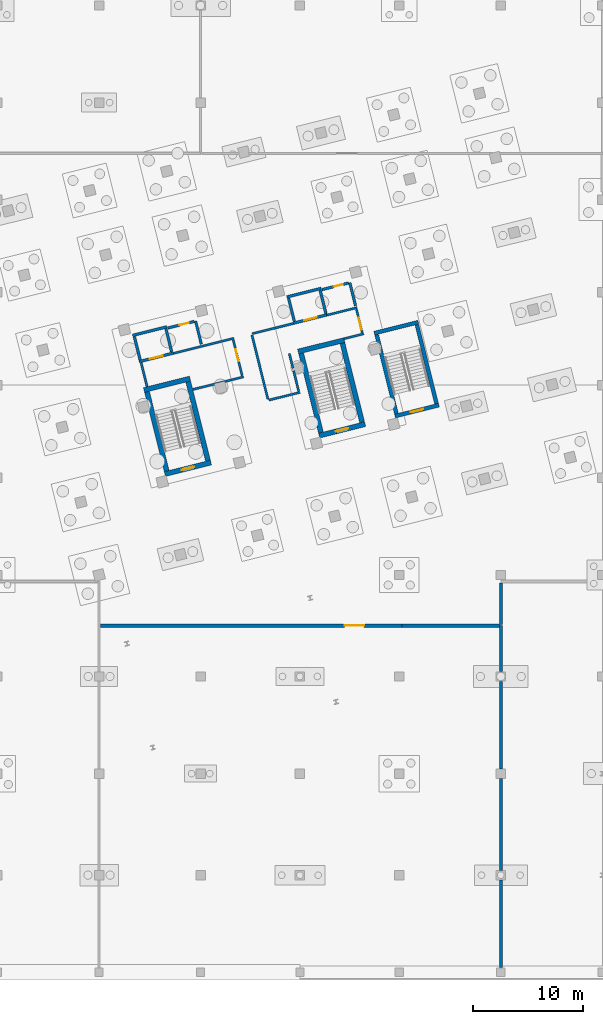
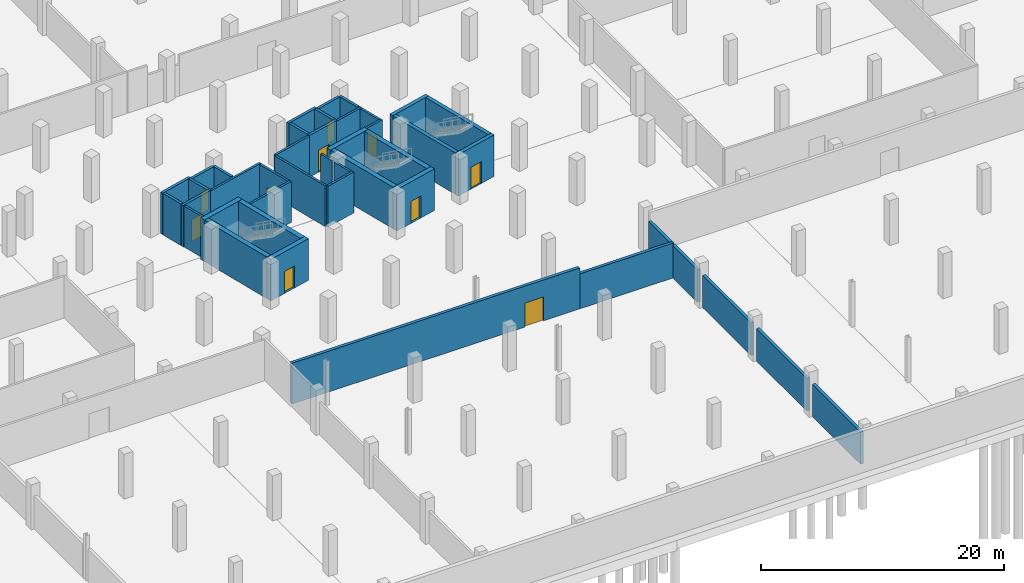
# One storey, part 18 of 29: 43 walls, 10 doors, 10 openings.
"""IFC4 building model written with IfcOpenShell, lengths in metres."""

from ifc_helpers import new_model, si_unit, direction, frame, frame_2d, origin, place, context, subcontext, project, spatial, rectangle, extrude, material, layer, layer_set, type_object, element, fill, save


model = new_model("IFC4")

# Units and contexts
model_context = context("Model", 3, precision=1e-05, world=origin(), true_north=direction((0.0, 1.0)))
body_context = subcontext(model_context, "Body", "Model", "MODEL_VIEW")
ifc_project = project(units=[si_unit("LENGTHUNIT", "METRE"), si_unit("AREAUNIT", "SQUARE_METRE"), si_unit("VOLUMEUNIT", "CUBIC_METRE"), si_unit("PLANEANGLEUNIT", "RADIAN"), si_unit("MASSUNIT", "GRAM", prefix="KILO")], contexts=[model_context])

# Site, building, storey
site_placement = place(None, origin())
site = spatial("IfcSite", under=ifc_project, at=site_placement, CompositionType="ELEMENT")
building_placement = place(site_placement, origin())
building = spatial("IfcBuilding", under=site, at=building_placement, Name="Meriwether Solvik Hall", CompositionType="ELEMENT")
storey_placement = place(building_placement, frame((0.0, 0.0, -9.0)))
storey = spatial("IfcBuildingStorey", under=building, at=storey_placement, Name="B02", CompositionType="ELEMENT", Elevation=-9.0)

# Walls
ifc_material_1 = material(Name="Fire-Rated Type X Gypsum Board", Category="gypsum")
ifc_layer_1 = layer(ifc_material_1, 0.199951171875)
ifc_layer_set_1 = layer_set([ifc_layer_1], Name="Fire-Rated Type X Gypsum Board")
wall_type_1 = type_object("IfcWallType", Name="WALL-FIRE-200", PredefinedType="STANDARD", material=ifc_layer_set_1)
wall_1_placement = place(storey_placement, frame((72.94970703125, 58.269287109375, 0.0), z_axis=(0.0, 0.0, 1.0), x_axis=(-0.24194311862, 0.970290434536, 0.0)))
element("IfcWall", 1, at=wall_1_placement, inside=storey, type_object=wall_type_1, Name="B02 Interior Partition lb1_w", PredefinedType="STANDARD", context=body_context, shape_type="SweptSolid", body=[
    extrude(rectangle(XDim=2.22998046875, YDim=0.199951171875, at=frame_2d((1.114990234375, 0.0))), origin(), (0.0, 0.0, 1.0), 4.10009765625),
])
wall_2_placement = place(storey_placement, frame((77.096923828125, 58.0048828125, 0.0), z_axis=(0.0, 0.0, 1.0), x_axis=(0.970305892741, 0.241881116483, 0.0)))
element("IfcWall", 2, at=wall_2_placement, inside=storey, type_object=wall_type_1, Name="B02 Interior Partition lb1_s", PredefinedType="STANDARD", context=body_context, shape_type="SweptSolid", body=[
    extrude(rectangle(XDim=4.73974609375, YDim=0.199951171875, at=frame_2d((2.369873046875, 0.0))), origin(), (0.0, 0.0, 1.0), 4.10009765625),
])
wall_3_placement = place(storey_placement, frame((75.24609375, 61.25341796875, 0.0), z_axis=(0.0, 0.0, 1.0), x_axis=(0.970292173201, 0.24193614576, 0.0)))
element("IfcWall", 3, at=wall_3_placement, inside=storey, type_object=wall_type_1, Name="B02 Interior Partition lb1_n_cap", PredefinedType="STANDARD", context=body_context, shape_type="SweptSolid", body=[
    extrude(rectangle(XDim=5.75, YDim=0.199951171875, at=frame_2d((2.875, 0.0))), origin(), (0.0, 0.0, 1.0), 4.10009765625),
])

# Wall, opening, door
wall_4_placement = place(storey_placement, frame((80.75732421875, 62.50390625, 0.0), z_axis=(0.0, 0.0, 1.0), x_axis=(0.241885902723, -0.970304699599, 0.0)))
wall_4 = element("IfcWall", 4, at=wall_4_placement, inside=storey, type_object=wall_type_1, Name="B02 Interior Partition lb1_e", PredefinedType="STANDARD", context=body_context, shape_type="SweptSolid", body=[
    extrude(rectangle(XDim=3.360107421875, YDim=0.199951171875, at=frame_2d((1.68017578125, 0.0))), origin(), (0.0, 0.0, 1.0), 4.10009765625),
])
opening_1_placement = place(wall_4_placement, frame((0.889892578125, 0.0, 0.0)))
opening_1 = element("IfcOpeningElement", 5, at=opening_1_placement, cuts=wall_4, Name="Opening D-168", PredefinedType="OPENING", context=body_context, shape_type="SweptSolid", body=[
    extrude(rectangle(XDim=1.10009765625, YDim=2.199951171875, at=frame_2d((0.550048828125, 1.10009765625))), frame((0.0, 0.11181640625, 0.0), z_axis=(0.0, -1.0, 0.0), x_axis=(1.0, 0.0, 0.0)), (0.0, 0.0, 1.0), 0.223876953125),
])
ifc_material_2 = material(Name="Steel A36 Galvanised", Category="steel")
door_type_1 = type_object("IfcDoorType", Name="DR-FD60-1100L", OperationType="SINGLE_SWING_LEFT", PredefinedType="DOOR", material=ifc_material_2)
door_1_placement = place(opening_1_placement, origin())
door_1 = element("IfcDoor", 6, at=door_1_placement, inside=storey, type_object=door_type_1, Name="West FSAE Lift Lobby Door (B02)", OperationType="SINGLE_SWING_LEFT", OverallHeight=2.199951171875, OverallWidth=1.10009765625, PredefinedType="DOOR", context=body_context, shape_type="SweptSolid", body=[
    extrude(rectangle(XDim=1.10009765625, YDim=2.199951171875, at=frame_2d((0.550048828125, 1.10009765625))), frame((0.0, 0.02490234375, 0.0), z_axis=(0.0, -1.0, 0.0), x_axis=(1.0, 0.0, 0.0)), (0.0, 0.0, 1.0), 0.050048828125),
])
fill(opening_1, door_1)

# Walls
wall_5_placement = place(storey_placement, frame((82.452880859375, 62.93701171875, 0.0), z_axis=(0.0, 0.0, 1.0), x_axis=(0.241891967324, -0.970303187743, 0.0)))
element("IfcWall", 7, at=wall_5_placement, inside=storey, type_object=wall_type_1, Name="B02 Interior Partition lb2_w", PredefinedType="STANDARD", context=body_context, shape_type="SweptSolid", body=[
    extrude(rectangle(XDim=5.97998046875, YDim=0.199951171875, at=frame_2d((2.989990234375, 0.0))), origin(), (0.0, 0.0, 1.0), 4.10009765625),
])
wall_6_placement = place(storey_placement, frame((83.972412109375, 57.03955078125, 0.0), z_axis=(0.0, 0.0, 1.0), x_axis=(0.970308790931, 0.241869490102, 0.0)))
element("IfcWall", 8, at=wall_6_placement, inside=storey, type_object=wall_type_1, Name="B02 Interior Partition lb2_s_w", PredefinedType="STANDARD", context=body_context, shape_type="SweptSolid", body=[
    extrude(rectangle(XDim=2.932373046875, YDim=0.199951171875, at=frame_2d((1.46630859375, 0.0))), origin(), (0.0, 0.0, 1.0), 4.10009765625),
])
wall_7_placement = place(storey_placement, frame((86.691650390625, 57.841064453125, 0.0), z_axis=(0.0, 0.0, 1.0), x_axis=(-0.241992731984, 0.970278062035, 0.0)))
element("IfcWall", 9, at=wall_7_placement, inside=storey, type_object=wall_type_1, Name="B02 Interior Partition lb2_e_low", PredefinedType="STANDARD", context=body_context, shape_type="SweptSolid", body=[
    extrude(rectangle(XDim=1.90478515625, YDim=0.199951171875, at=frame_2d((0.952392578125, 0.0))), origin(), (0.0, 0.0, 1.0), 4.10009765625),
])
wall_8_placement = place(storey_placement, frame((86.169921875, 59.932861328125, 0.0), z_axis=(0.0, 0.0, 1.0), x_axis=(-0.241824833036, 0.970319921535, 0.0)))
element("IfcWall", 10, at=wall_8_placement, inside=storey, type_object=wall_type_1, Name="B02 Interior Partition lb2_e_low_s2", PredefinedType="STANDARD", context=body_context, shape_type="SweptSolid", body=[
    extrude(rectangle(XDim=1.3740234375, YDim=0.199951171875, at=frame_2d((0.68701171875, 0.0))), origin(), (0.0, 0.0, 1.0), 4.10009765625),
])
wall_9_placement = place(storey_placement, frame((82.47265625, 63.05517578125, 0.0), z_axis=(0.0, 0.0, 1.0), x_axis=(0.970284368558, 0.241967444366, 0.0)))
element("IfcWall", 11, at=wall_9_placement, inside=storey, type_object=wall_type_1, Name="B02 Interior Partition lb2_n_cap_w", PredefinedType="STANDARD", context=body_context, shape_type="SweptSolid", body=[
    extrude(rectangle(XDim=3.84228515625, YDim=0.199951171875, at=frame_2d((1.921142578125, 0.0))), origin(), (0.0, 0.0, 1.0), 4.10009765625),
])
wall_10_placement = place(storey_placement, frame((90.791015625, 62.604248046875, 0.0), z_axis=(0.0, 0.0, 1.0), x_axis=(0.970306180373, 0.241879962645, 0.0)))
element("IfcWall", 12, at=wall_10_placement, inside=storey, type_object=wall_type_1, Name="B02 Interior Partition lb2_s", PredefinedType="STANDARD", context=body_context, shape_type="SweptSolid", body=[
    extrude(rectangle(XDim=1.840087890625, YDim=0.199951171875, at=frame_2d((0.919921875, 0.0))), origin(), (0.0, 0.0, 1.0), 4.10009765625),
])
wall_11_placement = place(storey_placement, frame((89.21826171875, 64.737060546875, 0.0), z_axis=(0.0, 0.0, 1.0), x_axis=(0.97027839681, 0.241991389687, 0.0)))
element("IfcWall", 13, at=wall_11_placement, inside=storey, type_object=wall_type_1, Name="B02 Interior Partition lb2_n_cap", PredefinedType="STANDARD", context=body_context, shape_type="SweptSolid", body=[
    extrude(rectangle(XDim=2.85009765625, YDim=0.199951171875, at=frame_2d((1.425048828125, 0.0))), origin(), (0.0, 0.0, 1.0), 4.10009765625),
])

# Wall, opening, door
wall_12_placement = place(storey_placement, frame((91.91552734375, 65.2861328125, 0.0), z_axis=(0.0, 0.0, 1.0), x_axis=(0.241911789465, -0.970298245963, 0.0)))
wall_12 = element("IfcWall", 14, at=wall_12_placement, inside=storey, type_object=wall_type_1, Name="B02 Interior Partition lb2_e", PredefinedType="STANDARD", context=body_context, shape_type="SweptSolid", body=[
    extrude(rectangle(XDim=2.210205078125, YDim=0.199951171875, at=frame_2d((1.10498046875, 0.0))), origin(), (0.0, 0.0, 1.0), 4.10009765625),
])
opening_2_placement = place(wall_12_placement, frame((0.81005859375, 0.0, 0.0)))
opening_2 = element("IfcOpeningElement", 15, at=opening_2_placement, cuts=wall_12, Name="Opening D-168", PredefinedType="OPENING", context=body_context, shape_type="SweptSolid", body=[
    extrude(rectangle(XDim=1.10009765625, YDim=2.199951171875, at=frame_2d((0.550048828125, 1.10009765625))), frame((0.0, 0.11181640625, 0.0), z_axis=(0.0, -1.0, 0.0), x_axis=(1.0, 0.0, 0.0)), (0.0, 0.0, 1.0), 0.223876953125),
])
door_2_placement = place(opening_2_placement, origin())
door_2 = element("IfcDoor", 16, at=door_2_placement, inside=storey, type_object=door_type_1, Name="East FSAE Lift Lobby Door (B02)", OperationType="SINGLE_SWING_LEFT", OverallHeight=2.199951171875, OverallWidth=1.10009765625, PredefinedType="DOOR", context=body_context, shape_type="SweptSolid", body=[
    extrude(rectangle(XDim=1.10009765625, YDim=2.199951171875, at=frame_2d((0.550048828125, 1.10009765625))), frame((0.0, 0.02490234375, 0.0), z_axis=(0.0, -1.0, 0.0), x_axis=(1.0, 0.0, 0.0)), (0.0, 0.0, 1.0), 0.050048828125),
])
fill(opening_2, door_2)

# Walls
ifc_material_3 = material(Name="Concrete C40/50", Category="concrete")
ifc_layer_2 = layer(ifc_material_3, 0.25)
ifc_layer_set_2 = layer_set([ifc_layer_2], Name="Concrete C40/50")
wall_type_2 = type_object("IfcWallType", Name="WALL-HOIST-250", PredefinedType="SHEAR", material=ifc_layer_set_2)
wall_13_placement = place(storey_placement, frame((74.744384765625, 63.67919921875, 0.0), z_axis=(0.0, 0.0, 1.0), x_axis=(-0.970294894235, -0.241925232711, 0.0)))
element("IfcWall", 17, at=wall_13_placement, inside=storey, type_object=wall_type_2, Name="Hoistway BANK1 North Wall (B02)", PredefinedType="SHEAR", context=body_context, shape_type="SweptSolid", body=[
    extrude(rectangle(XDim=3.199951171875, YDim=0.25, at=frame_2d((1.60009765625, 0.0))), origin(), (0.0, 0.0, 1.0), 4.169921875),
])
for number, where, z_axis, x_axis, name in (
    (18, (71.793212890625, 62.80419921875, 0.0), (0.0, 0.0, 1.0), (0.242008581424, -0.970274108959, 0.0), "Hoistway BANK1 West Wall (B02)"),
    (19, (75.18310546875, 61.402587890625, 0.0), (0.0, 0.0, 1.0), (-0.241903146974, 0.970300400641, 0.0), "Hoistway BANK1 East Wall (B02)"),
):
    element("IfcWall", number, at=place(storey_placement, frame(where, z_axis=z_axis, x_axis=x_axis)), inside=storey, type_object=wall_type_2, Name=name, PredefinedType="SHEAR", context=body_context, shape_type="SweptSolid", body=[
        extrude(rectangle(XDim=2.179931640625, YDim=0.25, at=frame_2d((1.08984375, 0.0))), origin(), (0.0, 0.0, 1.0), 4.169921875),
    ])

# Wall, opening, door
wall_14_placement = place(storey_placement, frame((72.232177734375, 60.52783203125, 0.0), z_axis=(0.0, 0.0, 1.0), x_axis=(0.970290428474, 0.241943142934, 0.0)))
wall_14 = element("IfcWall", 20, at=wall_14_placement, inside=storey, type_object=wall_type_2, Name="Lift LF-01 Landing Wall (B02)", PredefinedType="SHEAR", context=body_context, shape_type="SweptSolid", body=[
    extrude(rectangle(XDim=3.19970703125, YDim=0.25, at=frame_2d((1.599853515625, 0.0))), origin(), (0.0, 0.0, 1.0), 4.169921875),
])
opening_3_placement = place(wall_14_placement, frame((1.0, 0.0, 0.0)))
opening_3 = element("IfcOpeningElement", 21, at=opening_3_placement, cuts=wall_14, Name="Opening LD-01", PredefinedType="OPENING", context=body_context, shape_type="SweptSolid", body=[
    extrude(rectangle(XDim=1.199951171875, YDim=2.199951171875, at=frame_2d((0.60009765625, 1.10009765625))), frame((0.0, 0.136962890625, 0.0), z_axis=(0.0, -1.0, 0.0), x_axis=(1.0, 0.0, 0.0)), (0.0, 0.0, 1.0), 0.27392578125),
])
ifc_material_4 = material(Name="Stainless Steel AISI 316", Category="steel")
door_type_2 = type_object("IfcDoorType", Name="DR-LIFT-FSAE", OperationType="DOUBLE_DOOR_SLIDING", PredefinedType="DOOR", material=ifc_material_4)
door_3_placement = place(opening_3_placement, origin())
door_3 = element("IfcDoor", 22, at=door_3_placement, inside=storey, type_object=door_type_2, Name="Lift Landing Door LF-01 (B02)", OperationType="DOUBLE_DOOR_SLIDING", OverallHeight=2.199951171875, OverallWidth=1.199951171875, PredefinedType="DOOR", context=body_context, shape_type="SweptSolid", body=[
    extrude(rectangle(XDim=1.199951171875, YDim=2.199951171875, at=frame_2d((0.60009765625, 1.10009765625))), frame((0.0, 0.02490234375, 0.0), z_axis=(0.0, -1.0, 0.0), x_axis=(1.0, 0.0, 0.0)), (0.0, 0.0, 1.0), 0.050048828125),
])
fill(opening_3, door_3)

# Walls
wall_15_placement = place(storey_placement, frame((88.716552734375, 67.162841796875, 0.0), z_axis=(0.0, 0.0, 1.0), x_axis=(-0.970294894235, -0.241925232711, 0.0)))
element("IfcWall", 23, at=wall_15_placement, inside=storey, type_object=wall_type_2, Name="Hoistway BANK2 North Wall (B02)", PredefinedType="SHEAR", context=body_context, shape_type="SweptSolid", body=[
    extrude(rectangle(XDim=3.199951171875, YDim=0.25, at=frame_2d((1.60009765625, 0.0))), origin(), (0.0, 0.0, 1.0), 4.169921875),
])
for number, where, z_axis, x_axis, name in (
    (24, (85.765625, 66.287841796875, 0.0), (0.0, 0.0, 1.0), (0.241903146974, -0.970300400641, 0.0), "Hoistway BANK2 West Wall (B02)"),
    (25, (89.1552734375, 64.886474609375, 0.0), (0.0, 0.0, 1.0), (-0.241903146974, 0.970300400641, 0.0), "Hoistway BANK2 East Wall (B02)"),
):
    element("IfcWall", number, at=place(storey_placement, frame(where, z_axis=z_axis, x_axis=x_axis)), inside=storey, type_object=wall_type_2, Name=name, PredefinedType="SHEAR", context=body_context, shape_type="SweptSolid", body=[
        extrude(rectangle(XDim=2.179931640625, YDim=0.25, at=frame_2d((1.08984375, 0.0))), origin(), (0.0, 0.0, 1.0), 4.169921875),
    ])

# Wall, opening, door
wall_16_placement = place(storey_placement, frame((86.204345703125, 64.011474609375, 0.0), z_axis=(0.0, 0.0, 1.0), x_axis=(0.970294894235, 0.241925232711, 0.0)))
wall_16 = element("IfcWall", 26, at=wall_16_placement, inside=storey, type_object=wall_type_2, Name="Lift LF-02 Landing Wall (B02)", PredefinedType="SHEAR", context=body_context, shape_type="SweptSolid", body=[
    extrude(rectangle(XDim=3.199951171875, YDim=0.25, at=frame_2d((1.60009765625, 0.0))), origin(), (0.0, 0.0, 1.0), 4.169921875),
])
opening_4_placement = place(wall_16_placement, frame((1.0, 0.0, 0.0)))
opening_4 = element("IfcOpeningElement", 27, at=opening_4_placement, cuts=wall_16, Name="Opening LD-02", PredefinedType="OPENING", context=body_context, shape_type="SweptSolid", body=[
    extrude(rectangle(XDim=1.199951171875, YDim=2.199951171875, at=frame_2d((0.60009765625, 1.10009765625))), frame((0.0, 0.136962890625, 0.0), z_axis=(0.0, -1.0, 0.0), x_axis=(1.0, 0.0, 0.0)), (0.0, 0.0, 1.0), 0.27392578125),
])
door_4_placement = place(opening_4_placement, origin())
door_4 = element("IfcDoor", 28, at=door_4_placement, inside=storey, type_object=door_type_2, Name="Lift Landing Door LF-02 (B02)", OperationType="DOUBLE_DOOR_SLIDING", OverallHeight=2.199951171875, OverallWidth=1.199951171875, PredefinedType="DOOR", context=body_context, shape_type="SweptSolid", body=[
    extrude(rectangle(XDim=1.199951171875, YDim=2.199951171875, at=frame_2d((0.60009765625, 1.10009765625))), frame((0.0, 0.02490234375, 0.0), z_axis=(0.0, -1.0, 0.0), x_axis=(1.0, 0.0, 0.0)), (0.0, 0.0, 1.0), 0.050048828125),
])
fill(opening_4, door_4)

# Walls
ifc_material_5 = material(Name="Concrete C35/45", Category="concrete")
ifc_layer_3 = layer(ifc_material_5, 0.280029296875)
ifc_layer_set_3 = layer_set([ifc_layer_3], Name="Concrete C35/45")
wall_type_3 = type_object("IfcWallType", Name="WALL-PLANT-280", PredefinedType="STANDARD", material=ifc_layer_set_3)
wall_17_placement = place(storey_placement, frame((105.0, 5.639892578125, 0.0), z_axis=(0.0, 0.0, 1.0), x_axis=(0.0, 1.0, 0.0)))
element("IfcWall", 29, at=wall_17_placement, inside=storey, type_object=wall_type_3, Name="B02 Interior Partition pump_e", PredefinedType="STANDARD", context=body_context, shape_type="SweptSolid", body=[
    extrude(rectangle(XDim=7.920166015625, YDim=0.280029296875, at=frame_2d((3.9599609375, 0.0))), origin(), (0.0, 0.0, 1.0), 3.25),
])
wall_18_placement = place(storey_placement, frame((105.0, 14.43994140625, 0.0), z_axis=(0.0, 0.0, 1.0), x_axis=(0.0, 1.0, 0.0)))
element("IfcWall", 30, at=wall_18_placement, inside=storey, type_object=wall_type_3, Name="B02 Interior Partition pump_e_s2", PredefinedType="STANDARD", context=body_context, shape_type="SweptSolid", body=[
    extrude(rectangle(XDim=8.320068359375, YDim=0.280029296875, at=frame_2d((4.16015625, 0.0))), origin(), (0.0, 0.0, 1.0), 3.25),
])
wall_19_placement = place(storey_placement, frame((105.0, 23.639892578125, 0.0), z_axis=(0.0, 0.0, 1.0), x_axis=(0.0, 1.0, 0.0)))
element("IfcWall", 31, at=wall_19_placement, inside=storey, type_object=wall_type_3, Name="B02 Interior Partition pump_e_s3", PredefinedType="STANDARD", context=body_context, shape_type="SweptSolid", body=[
    extrude(rectangle(XDim=7.920166015625, YDim=0.280029296875, at=frame_2d((3.9599609375, 0.0))), origin(), (0.0, 0.0, 1.0), 3.25),
])
wall_20_placement = place(storey_placement, frame((105.0, 32.43994140625, 0.0), z_axis=(0.0, 0.0, 1.0), x_axis=(0.0, 1.0, 0.0)))
element("IfcWall", 32, at=wall_20_placement, inside=storey, type_object=wall_type_3, Name="B02 Interior Partition pump_e_s4", PredefinedType="STANDARD", context=body_context, shape_type="SweptSolid", body=[
    extrude(rectangle(XDim=4.16015625, YDim=0.280029296875, at=frame_2d((2.080078125, 0.0))), origin(), (0.0, 0.0, 1.0), 3.25),
])
wall_21_placement = place(storey_placement, frame((104.8798828125, 36.60009765625, 0.0), z_axis=(0.0, 0.0, 1.0), x_axis=(-1.0, 0.0, 0.0)))
element("IfcWall", 33, at=wall_21_placement, inside=storey, type_object=wall_type_3, Name="B02 Interior Partition pump_n", PredefinedType="STANDARD", context=body_context, shape_type="SweptSolid", body=[
    extrude(rectangle(XDim=8.8349609375, YDim=0.280029296875, at=frame_2d((4.41748046875, 0.0))), origin(), (0.0, 0.0, 1.0), 3.5),
])

# Wall, opening, door
wall_22_placement = place(storey_placement, frame((96.044921875, 36.60009765625, 0.0), z_axis=(0.0, 0.0, 1.0), x_axis=(-1.0, 0.0, 0.0)))
wall_22 = element("IfcWall", 34, at=wall_22_placement, inside=storey, type_object=wall_type_3, Name="B02 Interior Partition pump_n_s2", PredefinedType="STANDARD", context=body_context, shape_type="SweptSolid", body=[
    extrude(rectangle(XDim=27.324951171875, YDim=0.280029296875, at=frame_2d((13.66259765625, 0.0))), origin(), (0.0, 0.0, 1.0), 4.10009765625),
])
opening_5_placement = place(wall_22_placement, frame((3.436279296875, 0.0, 0.0)))
opening_5 = element("IfcOpeningElement", 35, at=opening_5_placement, cuts=wall_22, Name="Opening D-159", PredefinedType="OPENING", context=body_context, shape_type="SweptSolid", body=[
    extrude(rectangle(XDim=1.75, YDim=2.39990234375, at=frame_2d((0.875, 1.199951171875))), frame((0.0, 0.15185546875, 0.0), z_axis=(0.0, -1.0, 0.0), x_axis=(1.0, 0.0, 0.0)), (0.0, 0.0, 1.0), 0.303955078125),
])
ifc_material_6 = material(Name="Steel A36 Galvanised", Category="steel")
door_type_3 = type_object("IfcDoorType", Name="DR-FD90-1750", OperationType="DOUBLE_DOOR_SINGLE_SWING", PredefinedType="DOOR", material=ifc_material_6)
door_5_placement = place(opening_5_placement, origin())
door_5 = element("IfcDoor", 36, at=door_5_placement, inside=storey, type_object=door_type_3, Name="Domestic and Fire Booster Pump Plant Door", OperationType="DOUBLE_DOOR_SINGLE_SWING", OverallHeight=2.39990234375, OverallWidth=1.75, PredefinedType="DOOR", context=body_context, shape_type="SweptSolid", body=[
    extrude(rectangle(XDim=1.75, YDim=2.39990234375, at=frame_2d((0.875, 1.199951171875))), frame((0.0, 0.02490234375, 0.0), z_axis=(0.0, -1.0, 0.0), x_axis=(1.0, 0.0, 0.0)), (0.0, 0.0, 1.0), 0.050048828125),
])
fill(opening_5, door_5)

# Wall
wall_23_placement = place(storey_placement, frame((105.0, 40.47998046875, 0.0), z_axis=(0.0, 0.0, 1.0), x_axis=(0.0, -1.0, 0.0)))
element("IfcWall", 37, at=wall_23_placement, inside=storey, type_object=wall_type_3, Name="B02 Interior Partition tank_w", PredefinedType="STANDARD", context=body_context, shape_type="SweptSolid", body=[
    extrude(rectangle(XDim=3.760009765625, YDim=0.280029296875, at=frame_2d((1.8798828125, 0.0))), origin(), (0.0, 0.0, 1.0), 3.25),
])

# Wall, opening, door
ifc_material_7 = material(Name="Concrete C40/50", Category="concrete")
ifc_layer_4 = layer(ifc_material_7, 0.35009765625)
ifc_layer_set_4 = layer_set([ifc_layer_4], Name="Concrete C40/50")
wall_type_4 = type_object("IfcWallType", Name="WALL-RC-350", PredefinedType="SHEAR", material=ifc_layer_set_4)
wall_24_placement = place(storey_placement, frame((95.415283203125, 55.589599609375, 0.0), z_axis=(0.0, 0.0, 1.0), x_axis=(0.970292928015, 0.241933118535, 0.0)))
wall_24 = element("IfcWall", 38, at=wall_24_placement, inside=storey, type_object=wall_type_4, Name="CORE-3 Shear Wall S (B02)", PredefinedType="SHEAR", context=body_context, shape_type="SweptSolid", body=[
    extrude(rectangle(XDim=4.10009765625, YDim=0.35009765625, at=frame_2d((2.050048828125, 0.0))), origin(), (0.0, 0.0, 1.0), 4.169921875),
])
opening_6_placement = place(wall_24_placement, frame((1.47509765625, 0.0, 0.0)))
opening_6 = element("IfcOpeningElement", 39, at=opening_6_placement, cuts=wall_24, Name="Opening D-148", PredefinedType="OPENING", context=body_context, shape_type="SweptSolid", body=[
    extrude(rectangle(XDim=1.14990234375, YDim=2.199951171875, at=frame_2d((0.574951171875, 1.10009765625))), frame((0.0, 0.18701171875, 0.0), z_axis=(0.0, -1.0, 0.0), x_axis=(1.0, 0.0, 0.0)), (0.0, 0.0, 1.0), 0.3740234375),
])
ifc_material_8 = material(Name="Steel A36 Galvanised", Category="steel")
door_type_4 = type_object("IfcDoorType", Name="DR-FD90-1150R", OperationType="SINGLE_SWING_RIGHT", PredefinedType="DOOR", material=ifc_material_8)
door_6_placement = place(opening_6_placement, origin())
door_6 = element("IfcDoor", 40, at=door_6_placement, inside=storey, type_object=door_type_4, Name="Stair ST-03 Smokeproof Exit Door (B02)", OperationType="SINGLE_SWING_RIGHT", OverallHeight=2.199951171875, OverallWidth=1.14990234375, PredefinedType="DOOR", context=body_context, shape_type="SweptSolid", body=[
    extrude(rectangle(XDim=1.14990234375, YDim=2.199951171875, at=frame_2d((0.574951171875, 1.10009765625))), frame((0.0, 0.02490234375, 0.0), z_axis=(0.0, -1.0, 0.0), x_axis=(1.0, 0.0, 0.0)), (0.0, 0.0, 1.0), 0.050048828125),
])
fill(opening_6, door_6)

# Walls
wall_25_placement = place(storey_placement, frame((97.5185546875, 64.101318359375, 0.0), z_axis=(0.0, 0.0, 1.0), x_axis=(-0.970289442421, -0.241947097371, 0.0)))
element("IfcWall", 41, at=wall_25_placement, inside=storey, type_object=wall_type_4, Name="CORE-3 Shear Wall N (B02)", PredefinedType="SHEAR", context=body_context, shape_type="SweptSolid", body=[
    extrude(rectangle(XDim=4.099853515625, YDim=0.35009765625, at=frame_2d((2.0498046875, 0.0))), origin(), (0.0, 0.0, 1.0), 4.169921875),
])
for number, where, z_axis, x_axis, name in (
    (42, (93.755126953125, 62.97216796875, 0.0), (0.0, 0.0, 1.0), (0.241897280066, -0.970301863286, 0.0), "CORE-3 Shear Wall W (B02)"),
    (43, (99.178955078125, 56.71875, 0.0), (0.0, 0.0, 1.0), (-0.241928426141, 0.970294098006, 0.0), "CORE-3 Shear Wall E (B02)"),
):
    element("IfcWall", number, at=place(storey_placement, frame(where, z_axis=z_axis, x_axis=x_axis)), inside=storey, type_object=wall_type_4, Name=name, PredefinedType="SHEAR", context=body_context, shape_type="SweptSolid", body=[
        extrude(rectangle(XDim=7.3798828125, YDim=0.35009765625, at=frame_2d((3.68994140625, 0.0))), origin(), (0.0, 0.0, 1.0), 4.169921875),
    ])

# Wall, opening, door
ifc_material_9 = material(Name="Concrete C45/55", Category="concrete")
ifc_layer_5 = layer(ifc_material_9, 0.449951171875)
ifc_layer_set_5 = layer_set([ifc_layer_5], Name="Concrete C45/55")
wall_type_5 = type_object("IfcWallType", Name="WALL-RC-450", PredefinedType="SHEAR", material=ifc_layer_set_5)
wall_26_placement = place(storey_placement, frame((74.566162109375, 50.33984375, 0.0), z_axis=(0.0, 0.0, 1.0), x_axis=(0.970292610647, 0.241934391361, 0.0)))
wall_26 = element("IfcWall", 44, at=wall_26_placement, inside=storey, type_object=wall_type_5, Name="CORE-1 Shear Wall S (B02)", PredefinedType="SHEAR", context=body_context, shape_type="SweptSolid", body=[
    extrude(rectangle(XDim=4.2998046875, YDim=0.449951171875, at=frame_2d((2.14990234375, 0.0))), origin(), (0.0, 0.0, 1.0), 4.169921875),
])
opening_7_placement = place(wall_26_placement, frame((1.574951171875, 0.0, 0.0)))
opening_7 = element("IfcOpeningElement", 45, at=opening_7_placement, cuts=wall_26, Name="Opening D-189", PredefinedType="OPENING", context=body_context, shape_type="SweptSolid", body=[
    extrude(rectangle(XDim=1.14990234375, YDim=2.199951171875, at=frame_2d((0.574951171875, 1.10009765625))), frame((0.0, 0.23681640625, 0.0), z_axis=(0.0, -1.0, 0.0), x_axis=(1.0, 0.0, 0.0)), (0.0, 0.0, 1.0), 0.473876953125),
])
ifc_material_10 = material(Name="Steel A36 Galvanised", Category="steel")
door_type_5 = type_object("IfcDoorType", Name="DR-FD90-1150L", OperationType="SINGLE_SWING_LEFT", PredefinedType="DOOR", material=ifc_material_10)
door_7_placement = place(opening_7_placement, origin())
door_7 = element("IfcDoor", 46, at=door_7_placement, inside=storey, type_object=door_type_5, Name="Stair ST-01 Smokeproof Exit Door (B02)", OperationType="SINGLE_SWING_LEFT", OverallHeight=2.199951171875, OverallWidth=1.14990234375, PredefinedType="DOOR", context=body_context, shape_type="SweptSolid", body=[
    extrude(rectangle(XDim=1.14990234375, YDim=2.199951171875, at=frame_2d((0.574951171875, 1.10009765625))), frame((0.0, 0.02490234375, 0.0), z_axis=(0.0, -1.0, 0.0), x_axis=(1.0, 0.0, 0.0)), (0.0, 0.0, 1.0), 0.050048828125),
])
fill(opening_7, door_7)

# Walls
wall_27_placement = place(storey_placement, frame((76.83935546875, 58.996826171875, 0.0), z_axis=(0.0, 0.0, 1.0), x_axis=(-0.970295933763, -0.241921063415, 0.0)))
element("IfcWall", 47, at=wall_27_placement, inside=storey, type_object=wall_type_5, Name="CORE-1 Shear Wall N (B02)", PredefinedType="SHEAR", context=body_context, shape_type="SweptSolid", body=[
    extrude(rectangle(XDim=4.300048828125, YDim=0.449951171875, at=frame_2d((2.14990234375, 0.0))), origin(), (0.0, 0.0, 1.0), 4.169921875),
])
for number, where, z_axis, x_axis, name in (
    (48, (72.942138671875, 57.782958984375, 0.0), (0.0, 0.0, 1.0), (0.241928426141, -0.970294098006, 0.0), "CORE-1 Shear Wall W (B02)"),
    (49, (78.463134765625, 51.5537109375, 0.0), (0.0, 0.0, 1.0), (-0.241928426141, 0.970294098006, 0.0), "CORE-1 Shear Wall E (B02)"),
):
    element("IfcWall", number, at=place(storey_placement, frame(where, z_axis=z_axis, x_axis=x_axis)), inside=storey, type_object=wall_type_5, Name=name, PredefinedType="SHEAR", context=body_context, shape_type="SweptSolid", body=[
        extrude(rectangle(XDim=7.3798828125, YDim=0.449951171875, at=frame_2d((3.68994140625, 0.0))), origin(), (0.0, 0.0, 1.0), 4.169921875),
    ])

# Wall, opening, door
wall_28_placement = place(storey_placement, frame((88.538330078125, 53.823486328125, 0.0), z_axis=(0.0, 0.0, 1.0), x_axis=(0.970295933763, 0.241921063415, 0.0)))
wall_28 = element("IfcWall", 50, at=wall_28_placement, inside=storey, type_object=wall_type_5, Name="CORE-2 Shear Wall S (B02)", PredefinedType="SHEAR", context=body_context, shape_type="SweptSolid", body=[
    extrude(rectangle(XDim=4.300048828125, YDim=0.449951171875, at=frame_2d((2.14990234375, 0.0))), origin(), (0.0, 0.0, 1.0), 4.169921875),
])
opening_8_placement = place(wall_28_placement, frame((1.574951171875, 0.0, 0.0)))
opening_8 = element("IfcOpeningElement", 51, at=opening_8_placement, cuts=wall_28, Name="Opening D-148", PredefinedType="OPENING", context=body_context, shape_type="SweptSolid", body=[
    extrude(rectangle(XDim=1.14990234375, YDim=2.199951171875, at=frame_2d((0.574951171875, 1.10009765625))), frame((0.0, 0.23681640625, 0.0), z_axis=(0.0, -1.0, 0.0), x_axis=(1.0, 0.0, 0.0)), (0.0, 0.0, 1.0), 0.473876953125),
])
door_8_placement = place(opening_8_placement, origin())
door_8 = element("IfcDoor", 52, at=door_8_placement, inside=storey, type_object=door_type_4, Name="Stair ST-02 Smokeproof Exit Door (B02)", OperationType="SINGLE_SWING_RIGHT", OverallHeight=2.199951171875, OverallWidth=1.14990234375, PredefinedType="DOOR", context=body_context, shape_type="SweptSolid", body=[
    extrude(rectangle(XDim=1.14990234375, YDim=2.199951171875, at=frame_2d((0.574951171875, 1.10009765625))), frame((0.0, 0.02490234375, 0.0), z_axis=(0.0, -1.0, 0.0), x_axis=(1.0, 0.0, 0.0)), (0.0, 0.0, 1.0), 0.050048828125),
])
fill(opening_8, door_8)

# Walls
wall_29_placement = place(storey_placement, frame((90.8115234375, 62.48046875, 0.0), z_axis=(0.0, 0.0, 1.0), x_axis=(-0.970309259708, -0.2418676095, 0.0)))
element("IfcWall", 53, at=wall_29_placement, inside=storey, type_object=wall_type_5, Name="CORE-2 Shear Wall N (B02)", PredefinedType="SHEAR", context=body_context, shape_type="SweptSolid", body=[
    extrude(rectangle(XDim=4.300048828125, YDim=0.449951171875, at=frame_2d((2.14990234375, 0.0))), origin(), (0.0, 0.0, 1.0), 4.169921875),
])
for number, where, z_axis, x_axis, name in (
    (54, (86.91455078125, 61.266845703125, 0.0), (0.0, 0.0, 1.0), (0.241889515465, -0.970303798976, 0.0), "CORE-2 Shear Wall W (B02)"),
    (55, (92.435546875, 55.037353515625, 0.0), (0.0, 0.0, 1.0), (-0.241920660665, 0.970296034179, 0.0), "CORE-2 Shear Wall E (B02)"),
):
    element("IfcWall", number, at=place(storey_placement, frame(where, z_axis=z_axis, x_axis=x_axis)), inside=storey, type_object=wall_type_5, Name=name, PredefinedType="SHEAR", context=body_context, shape_type="SweptSolid", body=[
        extrude(rectangle(XDim=7.380126953125, YDim=0.449951171875, at=frame_2d((3.68994140625, 0.0))), origin(), (0.0, 0.0, 1.0), 4.169921875),
    ])
ifc_material_11 = material(Name="Concrete C35/45", Category="concrete")
ifc_layer_6 = layer(ifc_material_11, 0.239990234375)
ifc_layer_set_6 = layer_set([ifc_layer_6], Name="Concrete C35/45")
wall_type_6 = type_object("IfcWallType", Name="WALL-SHAFT-240", PredefinedType="STANDARD", material=ifc_layer_set_6)
wall_30_placement = place(storey_placement, frame((77.865966796875, 62.11279296875, 0.0), z_axis=(0.0, 0.0, 1.0), x_axis=(-0.2418676095, 0.970309259708, 0.0)))
element("IfcWall", 56, at=wall_30_placement, inside=storey, type_object=wall_type_6, Name="B02 Interior Partition riser1_e", PredefinedType="STANDARD", context=body_context, shape_type="SweptSolid", body=[
    extrude(rectangle(XDim=2.14990234375, YDim=0.239990234375, at=frame_2d((1.074951171875, 0.0))), origin(), (0.0, 0.0, 1.0), 4.10009765625),
])

# Wall, opening, door
wall_31_placement = place(storey_placement, frame((77.2294921875, 64.169921875, 0.0), z_axis=(0.0, 0.0, 1.0), x_axis=(-0.970310192441, -0.241863867589, 0.0)))
wall_31 = element("IfcWall", 57, at=wall_31_placement, inside=storey, type_object=wall_type_6, Name="B02 Interior Partition riser1_n", PredefinedType="STANDARD", context=body_context, shape_type="SweptSolid", body=[
    extrude(rectangle(XDim=2.480224609375, YDim=0.239990234375, at=frame_2d((1.240234375, 0.0))), origin(), (0.0, 0.0, 1.0), 4.10009765625),
])
opening_9_placement = place(wall_31_placement, frame((0.530029296875, 0.0, 0.0)))
opening_9 = element("IfcOpeningElement", 58, at=opening_9_placement, cuts=wall_31, Name="Opening D-102", PredefinedType="OPENING", context=body_context, shape_type="SweptSolid", body=[
    extrude(rectangle(XDim=0.85009765625, YDim=2.10009765625, at=frame_2d((0.425048828125, 1.050048828125))), frame((0.0, 0.1318359375, 0.0), z_axis=(0.0, -1.0, 0.0), x_axis=(1.0, 0.0, 0.0)), (0.0, 0.0, 1.0), 0.263916015625),
])
ifc_material_12 = material(Name="Steel A36 Galvanised", Category="steel")
door_type_6 = type_object("IfcDoorType", Name="DR-FD60-850L", OperationType="SINGLE_SWING_LEFT", PredefinedType="DOOR", material=ifc_material_12)
door_9_placement = place(opening_9_placement, origin())
door_9 = element("IfcDoor", 59, at=door_9_placement, inside=storey, type_object=door_type_6, Name="Primary Telecom Plant Riser Door (B02)", OperationType="SINGLE_SWING_LEFT", OverallHeight=2.10009765625, OverallWidth=0.85009765625, PredefinedType="DOOR", context=body_context, shape_type="SweptSolid", body=[
    extrude(rectangle(XDim=0.85009765625, YDim=2.10009765625, at=frame_2d((0.425048828125, 1.050048828125))), frame((0.0, 0.02490234375, 0.0), z_axis=(0.0, -1.0, 0.0), x_axis=(1.0, 0.0, 0.0)), (0.0, 0.0, 1.0), 0.050048828125),
])
fill(opening_9, door_9)

# Wall
wall_32_placement = place(storey_placement, frame((91.838134765625, 65.596435546875, 0.0), z_axis=(0.0, 0.0, 1.0), x_axis=(-0.2418676095, 0.970309259708, 0.0)))
element("IfcWall", 60, at=wall_32_placement, inside=storey, type_object=wall_type_6, Name="B02 Interior Partition riser2_e", PredefinedType="STANDARD", context=body_context, shape_type="SweptSolid", body=[
    extrude(rectangle(XDim=2.14990234375, YDim=0.239990234375, at=frame_2d((1.074951171875, 0.0))), origin(), (0.0, 0.0, 1.0), 4.10009765625),
])

# Wall, opening, door
wall_33_placement = place(storey_placement, frame((91.20166015625, 67.653564453125, 0.0), z_axis=(0.0, 0.0, 1.0), x_axis=(-0.970304433136, -0.241886971613, 0.0)))
wall_33 = element("IfcWall", 61, at=wall_33_placement, inside=storey, type_object=wall_type_6, Name="B02 Interior Partition riser2_n", PredefinedType="STANDARD", context=body_context, shape_type="SweptSolid", body=[
    extrude(rectangle(XDim=2.47998046875, YDim=0.239990234375, at=frame_2d((1.239990234375, 0.0))), origin(), (0.0, 0.0, 1.0), 4.10009765625),
])
opening_10_placement = place(wall_33_placement, frame((0.530029296875, 0.0, 0.0)))
opening_10 = element("IfcOpeningElement", 62, at=opening_10_placement, cuts=wall_33, Name="Opening D-186", PredefinedType="OPENING", context=body_context, shape_type="SweptSolid", body=[
    extrude(rectangle(XDim=0.85009765625, YDim=2.10009765625, at=frame_2d((0.425048828125, 1.050048828125))), frame((0.0, 0.1318359375, 0.0), z_axis=(0.0, -1.0, 0.0), x_axis=(1.0, 0.0, 0.0)), (0.0, 0.0, 1.0), 0.263916015625),
])
ifc_material_13 = material(Name="Steel A36 Galvanised", Category="steel")
door_type_7 = type_object("IfcDoorType", Name="DR-FD60-850R", OperationType="SINGLE_SWING_RIGHT", PredefinedType="DOOR", material=ifc_material_13)
door_10_placement = place(opening_10_placement, origin())
door_10 = element("IfcDoor", 63, at=door_10_placement, inside=storey, type_object=door_type_7, Name="Auxiliary Switchboard Plant Riser Door (B02)", OperationType="SINGLE_SWING_RIGHT", OverallHeight=2.10009765625, OverallWidth=0.85009765625, PredefinedType="DOOR", context=body_context, shape_type="SweptSolid", body=[
    extrude(rectangle(XDim=0.85009765625, YDim=2.10009765625, at=frame_2d((0.425048828125, 1.050048828125))), frame((0.0, 0.02490234375, 0.0), z_axis=(0.0, -1.0, 0.0), x_axis=(1.0, 0.0, 0.0)), (0.0, 0.0, 1.0), 0.050048828125),
])
fill(opening_10, door_10)

save(model, "model.ifc")
